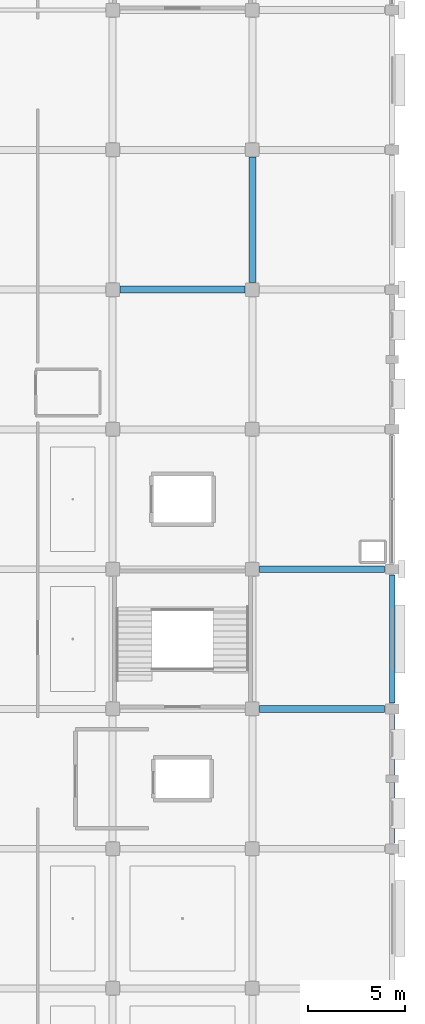
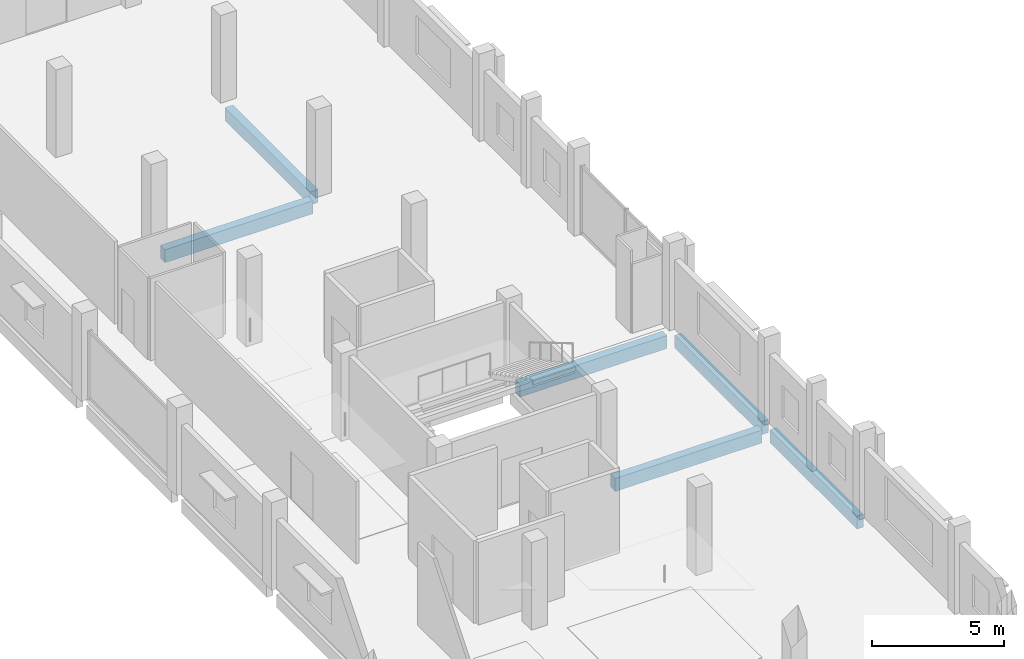
# One storey, part 46 of 91: 6 beams.
"""IFC4 building model written with IfcOpenShell, lengths in metres."""

from ifc_helpers import new_model, si_unit, direction, frame, origin, origin_2d, place, context, subcontext, project, spatial, rectangle, extrude, material, material_profile, profile_set, type_object, element, save


model = new_model("IFC4")

# Units and contexts
model_context = context("Model", 3, precision=1e-05, world=origin(), true_north=direction((0.0, 1.0)))
body_context = subcontext(model_context, "Body", "Model", "MODEL_VIEW")
ifc_project = project(units=[si_unit("LENGTHUNIT", "METRE"), si_unit("AREAUNIT", "SQUARE_METRE"), si_unit("VOLUMEUNIT", "CUBIC_METRE"), si_unit("PLANEANGLEUNIT", "RADIAN"), si_unit("MASSUNIT", "GRAM", prefix="KILO")], contexts=[model_context])

# Site, building, storey
site_placement = place(None, origin())
site = spatial("IfcSite", under=ifc_project, at=site_placement, CompositionType="ELEMENT")
building_placement = place(site_placement, origin())
building = spatial("IfcBuilding", under=site, at=building_placement, Name="Kangsadwip Square Police Headquarters", CompositionType="ELEMENT")
storey_placement = place(building_placement, frame((0.0, 0.0, 13.5)))
storey = spatial("IfcBuildingStorey", under=building, at=storey_placement, Name="L03", CompositionType="ELEMENT", Elevation=13.5)

# Beams
ifc_material_1 = material(Name="Concrete M35 (35 MPa)", Category="concrete")
ifc_material_profile_1 = material_profile(ifc_material_1, rectangle(XDim=0.35009765625, YDim=0.60009765625, at=origin_2d()), Name="RC BM 600X350")
ifc_profile_set_1 = profile_set([ifc_material_profile_1], Name="Concrete M35 (35 MPa)")
beam_type_1 = type_object("IfcBeamType", Name="RcBeam600x350", PredefinedType="BEAM", material=ifc_profile_set_1)
for number, where, z_axis, x_axis, name in (
    (1, (158.77490234375, 57.60009765625, -0.5400390625), (1.0, 0.0, 0.0), (0.0, 1.0, 0.0), "Beam BM-L03-X-22-08"),
    (2, (158.77490234375, 64.800048828125, -0.5400390625), (1.0, 0.0, 0.0), (0.0, 1.0, 0.0), "Beam BM-L03-X-22-09"),
):
    element("IfcBeam", number, at=place(storey_placement, frame(where, z_axis=z_axis, x_axis=x_axis)), inside=storey, type_object=beam_type_1, Name=name, PredefinedType="BEAM", context=body_context, shape_type="SweptSolid", body=[
        extrude(rectangle(XDim=0.35009765625, YDim=0.60009765625, at=origin_2d()), origin(), (0.0, 0.0, 1.0), 6.425048828125),
    ])
for number, where, z_axis, x_axis, name in (
    (3, (151.574951171875, 79.199951171875, -0.5400390625), (1.0, 0.0, 0.0), (0.0, 1.0, 0.0), "Beam BM-L03-X-21-11"),
    (4, (158.39990234375, 79.574951171875, -0.5400390625), (0.0, 1.0, 0.0), (-1.0, 0.0, 0.0), "Beam BM-L03-Y-22-11"),
):
    element("IfcBeam", number, at=place(storey_placement, frame(where, z_axis=z_axis, x_axis=x_axis)), inside=storey, type_object=beam_type_1, Name=name, PredefinedType="BEAM", context=body_context, shape_type="SweptSolid", body=[
        extrude(rectangle(XDim=0.35009765625, YDim=0.60009765625, at=origin_2d()), origin(), (0.0, 0.0, 1.0), 6.449951171875),
    ])
ifc_material_2 = material(Name="Concrete M40 (40 MPa)", Category="concrete")
ifc_material_profile_2 = material_profile(ifc_material_2, rectangle(XDim=0.280029296875, YDim=0.60009765625, at=origin_2d()), Name="RC SPN 600X280")
ifc_profile_set_2 = profile_set([ifc_material_profile_2], Name="Concrete M40 (40 MPa)")
beam_type_2 = type_object("IfcBeamType", Name="RcSpandrel600x280", PredefinedType="SPANDREL", material=ifc_profile_set_2)
for number, where, z_axis, x_axis, name in (
    (5, (165.60009765625, 50.699951171875, -0.5400390625), (0.0, 1.0, 0.0), (-1.0, 0.0, 0.0), "Beam BM-L03-Y-23-07"),
    (6, (165.60009765625, 57.89990234375, -0.5400390625), (0.0, 1.0, 0.0), (-1.0, 0.0, 0.0), "Beam BM-L03-Y-23-08"),
):
    element("IfcBeam", number, at=place(storey_placement, frame(where, z_axis=z_axis, x_axis=x_axis)), inside=storey, type_object=beam_type_2, Name=name, PredefinedType="SPANDREL", context=body_context, shape_type="SweptSolid", body=[
        extrude(rectangle(XDim=0.280029296875, YDim=0.60009765625, at=origin_2d()), origin(), (0.0, 0.0, 1.0), 6.60009765625),
    ])

save(model, "model.ifc")
